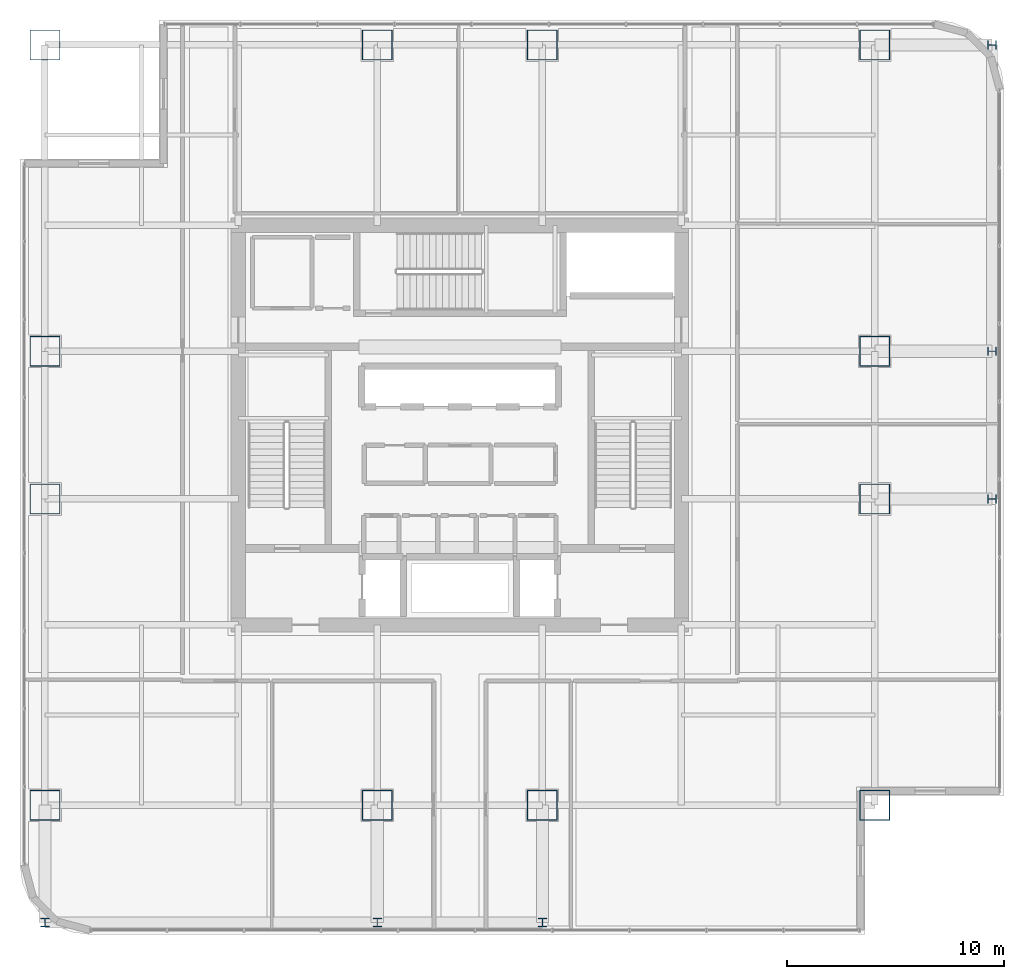
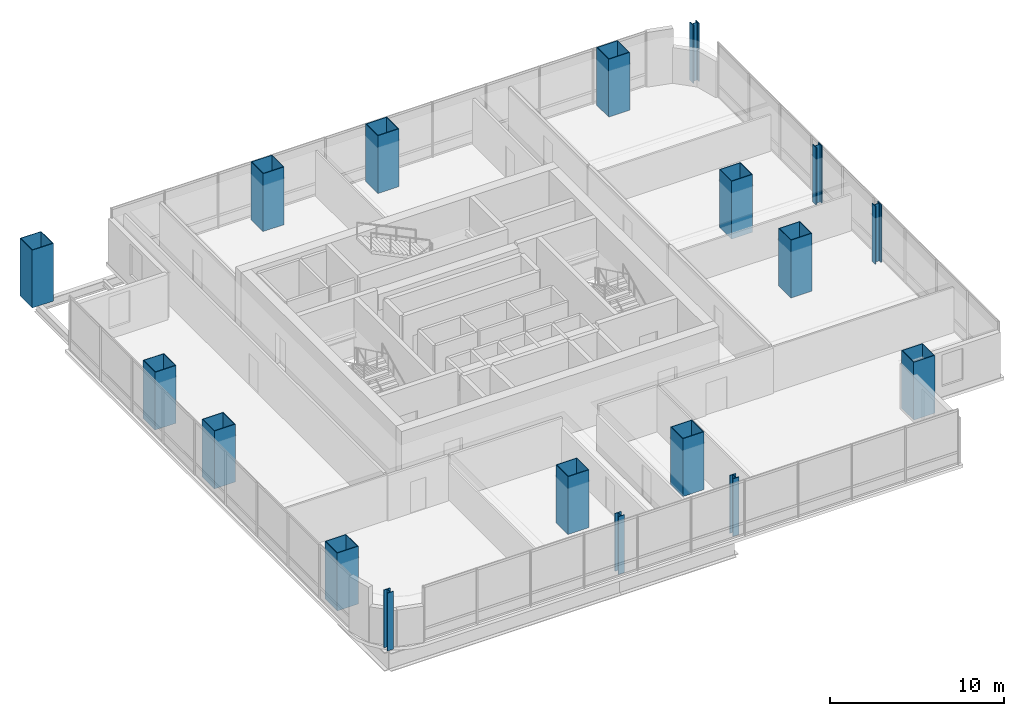
# One storey, part 1 of 36: 18 columns.
"""IFC4 building model written with IfcOpenShell, lengths in metres."""

from ifc_helpers import new_model, si_unit, direction, frame, origin, origin_2d, place, context, subcontext, project, spatial, hollow_rectangle, i_section, extrude, material, material_profile, profile_set, type_object, element, save


model = new_model("IFC4")

# Units and contexts
model_context = context("Model", 3, precision=1e-05, world=origin(), true_north=direction((0.0, 1.0)))
body_context = subcontext(model_context, "Body", "Model", "MODEL_VIEW")
ifc_project = project(units=[si_unit("LENGTHUNIT", "METRE"), si_unit("AREAUNIT", "SQUARE_METRE"), si_unit("VOLUMEUNIT", "CUBIC_METRE"), si_unit("PLANEANGLEUNIT", "RADIAN"), si_unit("MASSUNIT", "GRAM", prefix="KILO")], contexts=[model_context])

# Site, building, storey
site_placement = place(None, origin())
site = spatial("IfcSite", under=ifc_project, at=site_placement, CompositionType="ELEMENT")
building_placement = place(site_placement, origin())
building = spatial("IfcBuilding", under=site, at=building_placement, Name="Punatoya Terracotta Tower", CompositionType="ELEMENT")
storey_placement = place(building_placement, frame((0.0, 0.0, 228.89990234375)))
storey = spatial("IfcBuildingStorey", under=building, at=storey_placement, Name="L54", CompositionType="ELEMENT", Elevation=228.89990234375)

# Columns
ifc_material = material(Name="Steel S460", Category="steel")
ifc_material_profile_1 = material_profile(ifc_material, i_section(OverallWidth=0.408935546875, OverallDepth=0.425048828125, WebThickness=0.031982421875, FlangeThickness=0.052001953125, FilletRadius=0.01806640625, at=origin_2d()))
ifc_profile_set_1 = profile_set([ifc_material_profile_1], Name="Steel S460")
column_type_1 = type_object("IfcColumnType", Name="COL-EX-M2", PredefinedType="COLUMN", material=ifc_profile_set_1)
for number, where, z_axis, x_axis, name in (
    (1, (-19.10009765625, -22.89990234375, 0.0), (0.0, 0.0, 1.0), (1.0, 0.0, 0.0), "L54 Exoskeleton Perimeter Column S1"),
    (2, (-3.800048828125, -22.89990234375, 0.0), (0.0, 0.0, 1.0), (1.0, 0.0, 0.0), "L54 Exoskeleton Perimeter Column S2"),
    (3, (3.800048828125, -22.89990234375, 0.0), (0.0, 0.0, 1.0), (1.0, 0.0, 0.0), "L54 Exoskeleton Perimeter Column S3"),
    (4, (24.5, -3.39990234375, 0.0), (0.0, 0.0, 1.0), (0.0, 1.0, 0.0), "L54 Exoskeleton Perimeter Column E2"),
    (5, (24.5, 3.39990234375, 0.0), (0.0, 0.0, 1.0), (0.0, 1.0, 0.0), "L54 Exoskeleton Perimeter Column E3"),
    (6, (24.5, 17.5, 0.0), (0.0, 0.0, 1.0), (0.0, 1.0, 0.0), "L54 Exoskeleton Perimeter Column E4"),
):
    element("IfcColumn", number, at=place(storey_placement, frame(where, z_axis=z_axis, x_axis=x_axis)), inside=storey, type_object=column_type_1, Name=name, PredefinedType="COLUMN", context=body_context, shape_type="SweptSolid", body=[
        extrude(i_section(OverallWidth=0.408935546875, OverallDepth=0.425048828125, WebThickness=0.031982421875, FlangeThickness=0.052001953125, FilletRadius=0.01806640625, at=origin_2d()), origin(), (0.0, 0.0, 1.0), 4.048095703125),
    ])
ifc_material_profile_2 = material_profile(ifc_material, hollow_rectangle(XDim=1.39990234375, YDim=1.39990234375, WallThickness=0.0419921875, at=origin_2d()))
ifc_profile_set_2 = profile_set([ifc_material_profile_2], Name="Steel S460")
column_type_2 = type_object("IfcColumnType", Name="COL-MC-Z2", PredefinedType="COLUMN", material=ifc_profile_set_2)
for number, where, z_axis, x_axis, name in (
    (7, (-19.10009765625, -17.5, 0.0), (0.0, 0.0, 1.0), (1.0, 0.0, 0.0), "L54 Composite Mega-Column MC-01 (3-B)"),
    (8, (-3.800048828125, -17.5, 0.0), (0.0, 0.0, 1.0), (1.0, 0.0, 0.0), "L54 Composite Mega-Column MC-02 (5-B)"),
    (9, (3.800048828125, -17.5, 0.0), (0.0, 0.0, 1.0), (1.0, 0.0, 0.0), "L54 Composite Mega-Column MC-03 (7-B)"),
    (10, (19.10009765625, -17.5, 0.0), (0.0, 0.0, 1.0), (1.0, 0.0, 0.0), "L54 Composite Mega-Column MC-04 (9-B)"),
    (11, (19.10009765625, -3.39990234375, 0.0), (0.0, 0.0, 1.0), (1.0, 0.0, 0.0), "L54 Composite Mega-Column MC-05 (9-D)"),
    (12, (19.10009765625, 3.39990234375, 0.0), (0.0, 0.0, 1.0), (1.0, 0.0, 0.0), "L54 Composite Mega-Column MC-06 (9-E)"),
    (13, (19.10009765625, 17.5, 0.0), (0.0, 0.0, 1.0), (1.0, 0.0, 0.0), "L54 Composite Mega-Column MC-07 (9-G)"),
    (14, (3.800048828125, 17.5, 0.0), (0.0, 0.0, 1.0), (1.0, 0.0, 0.0), "L54 Composite Mega-Column MC-08 (7-G)"),
    (15, (-3.800048828125, 17.5, 0.0), (0.0, 0.0, 1.0), (1.0, 0.0, 0.0), "L54 Composite Mega-Column MC-09 (5-G)"),
    (16, (-19.10009765625, 17.5, 0.0), (0.0, 0.0, 1.0), (1.0, 0.0, 0.0), "L54 Composite Mega-Column MC-10 (3-G)"),
    (17, (-19.10009765625, 3.39990234375, 0.0), (0.0, 0.0, 1.0), (1.0, 0.0, 0.0), "L54 Composite Mega-Column MC-11 (3-E)"),
    (18, (-19.10009765625, -3.39990234375, 0.0), (0.0, 0.0, 1.0), (1.0, 0.0, 0.0), "L54 Composite Mega-Column MC-12 (3-D)"),
):
    element("IfcColumn", number, at=place(storey_placement, frame(where, z_axis=z_axis, x_axis=x_axis)), inside=storey, type_object=column_type_2, Name=name, PredefinedType="COLUMN", context=body_context, shape_type="SweptSolid", body=[
        extrude(hollow_rectangle(XDim=1.39990234375, YDim=1.39990234375, WallThickness=0.0419921875, at=origin_2d()), origin(), (0.0, 0.0, 1.0), 4.050048828125),
    ])

save(model, "model.ifc")
